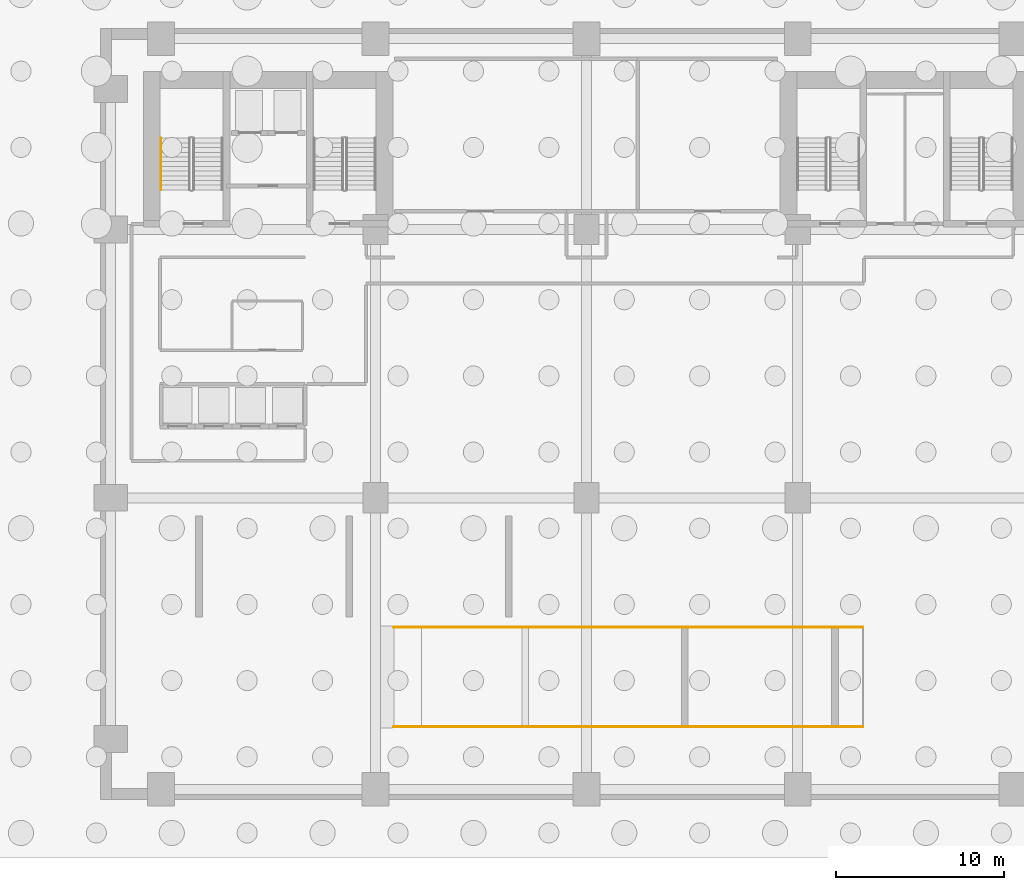
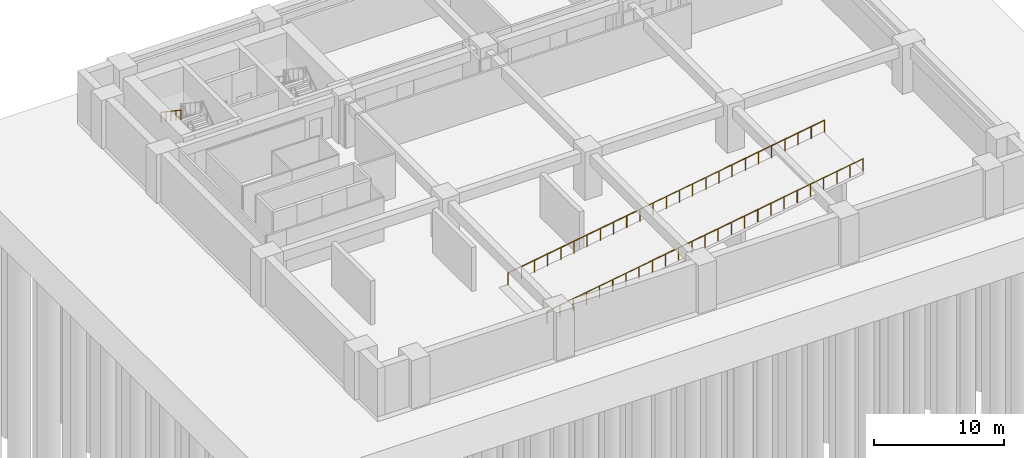
# One storey, part 5 of 8: 3 railings.
"""IFC4 building model written with IfcOpenShell, lengths in metres."""

from ifc_helpers import new_model, si_unit, direction, frame, origin, origin_2d, place, context, subcontext, project, spatial, circle, extrude, material, type_object, element, save


model = new_model("IFC4")

# Units and contexts
model_context = context("Model", 3, precision=1e-05, world=origin(), true_north=direction((0.0, 1.0)))
body_context = subcontext(model_context, "Body", "Model", "MODEL_VIEW")
ifc_project = project(units=[si_unit("LENGTHUNIT", "METRE"), si_unit("AREAUNIT", "SQUARE_METRE"), si_unit("VOLUMEUNIT", "CUBIC_METRE"), si_unit("PLANEANGLEUNIT", "RADIAN"), si_unit("MASSUNIT", "GRAM", prefix="KILO")], contexts=[model_context])

# Site, building, storey
site_placement = place(None, origin())
site = spatial("IfcSite", under=ifc_project, at=site_placement, CompositionType="ELEMENT")
building_placement = place(site_placement, origin())
building = spatial("IfcBuilding", under=site, at=building_placement, Name="Sulina Concourse Tower", CompositionType="ELEMENT")
storey_placement = place(building_placement, frame((0.0, 0.0, -9.0)))
storey = spatial("IfcBuildingStorey", under=building, at=storey_placement, Name="B2", CompositionType="ELEMENT", Elevation=-9.0)

# Railings
ifc_material_1 = material(Name="Galvanised steel railing", Category="steel")
railing_type_1 = type_object("IfcRailingType", Name="Core Stair Steel Guardrail 1150mm", PredefinedType="GUARDRAIL", material=ifc_material_1)
railing_1_placement = place(storey_placement, frame((17.5, 4.330078125, 0.0)))
element("IfcRailing", 1, at=railing_1_placement, inside=storey, type_object=railing_type_1, Name="RMP-VEH-B2 ramp railing 1", PredefinedType="GUARDRAIL", context=body_context, shape_type="SweptSolid", body=[
    extrude(circle(Radius=0.02392578125, at=origin_2d()), frame((0.0, 0.0, 1.1259765625), z_axis=(0.987330371277, 0.0, 0.158678095384), x_axis=(0.0, 1.0, 0.0)), (0.0, 0.0, 1.0), 28.359375),
    extrude(circle(Radius=0.02099609375, at=origin_2d()), origin(), (0.0, 0.0, 1.0), 1.101806640625),
    extrude(circle(Radius=0.02099609375, at=origin_2d()), frame((1.166748046875, 0.0, 0.1875)), (0.0, 0.0, 1.0), 1.101806640625),
    extrude(circle(Radius=0.02099609375, at=origin_2d()), frame((2.333251953125, 0.0, 0.375)), (0.0, 0.0, 1.0), 1.101806640625),
    extrude(circle(Radius=0.02099609375, at=origin_2d()), frame((3.5, 0.0, 0.5625)), (0.0, 0.0, 1.0), 1.101806640625),
    extrude(circle(Radius=0.02099609375, at=origin_2d()), frame((4.666748046875, 0.0, 0.75)), (0.0, 0.0, 1.0), 1.101806640625),
    extrude(circle(Radius=0.02099609375, at=origin_2d()), frame((5.833251953125, 0.0, 0.9375)), (0.0, 0.0, 1.0), 1.101806640625),
    extrude(circle(Radius=0.02099609375, at=origin_2d()), frame((7.0, 0.0, 1.125)), (0.0, 0.0, 1.0), 1.101806640625),
    extrude(circle(Radius=0.02099609375, at=origin_2d()), frame((8.166748046875, 0.0, 1.3125)), (0.0, 0.0, 1.0), 1.101806640625),
    extrude(circle(Radius=0.02099609375, at=origin_2d()), frame((9.333251953125, 0.0, 1.5)), (0.0, 0.0, 1.0), 1.101806640625),
    extrude(circle(Radius=0.02099609375, at=origin_2d()), frame((10.5, 0.0, 1.6875)), (0.0, 0.0, 1.0), 1.101806640625),
    extrude(circle(Radius=0.02099609375, at=origin_2d()), frame((11.666748046875, 0.0, 1.875)), (0.0, 0.0, 1.0), 1.101806640625),
    extrude(circle(Radius=0.02099609375, at=origin_2d()), frame((12.833251953125, 0.0, 2.0625)), (0.0, 0.0, 1.0), 1.101806640625),
    extrude(circle(Radius=0.02099609375, at=origin_2d()), frame((14.0, 0.0, 2.25)), (0.0, 0.0, 1.0), 1.101806640625),
    extrude(circle(Radius=0.02099609375, at=origin_2d()), frame((15.166748046875, 0.0, 2.4375)), (0.0, 0.0, 1.0), 1.101806640625),
    extrude(circle(Radius=0.02099609375, at=origin_2d()), frame((16.333251953125, 0.0, 2.625)), (0.0, 0.0, 1.0), 1.101806640625),
    extrude(circle(Radius=0.02099609375, at=origin_2d()), frame((17.5, 0.0, 2.8125)), (0.0, 0.0, 1.0), 1.101806640625),
    extrude(circle(Radius=0.02099609375, at=origin_2d()), frame((18.666748046875, 0.0, 3.0)), (0.0, 0.0, 1.0), 1.101806640625),
    extrude(circle(Radius=0.02099609375, at=origin_2d()), frame((19.833251953125, 0.0, 3.1875)), (0.0, 0.0, 1.0), 1.101806640625),
    extrude(circle(Radius=0.02099609375, at=origin_2d()), frame((21.0, 0.0, 3.375)), (0.0, 0.0, 1.0), 1.101806640625),
    extrude(circle(Radius=0.02099609375, at=origin_2d()), frame((22.166748046875, 0.0, 3.5625)), (0.0, 0.0, 1.0), 1.101806640625),
    extrude(circle(Radius=0.02099609375, at=origin_2d()), frame((23.333251953125, 0.0, 3.75)), (0.0, 0.0, 1.0), 1.101806640625),
    extrude(circle(Radius=0.02099609375, at=origin_2d()), frame((24.5, 0.0, 3.9375)), (0.0, 0.0, 1.0), 1.101806640625),
    extrude(circle(Radius=0.02099609375, at=origin_2d()), frame((25.666748046875, 0.0, 4.125)), (0.0, 0.0, 1.0), 1.101806640625),
    extrude(circle(Radius=0.02099609375, at=origin_2d()), frame((26.833251953125, 0.0, 4.3125)), (0.0, 0.0, 1.0), 1.101806640625),
    extrude(circle(Radius=0.02099609375, at=origin_2d()), frame((28.0, 0.0, 4.5)), (0.0, 0.0, 1.0), 1.101806640625),
])
railing_2_placement = place(storey_placement, frame((17.5, 10.27001953125, 0.0)))
element("IfcRailing", 2, at=railing_2_placement, inside=storey, type_object=railing_type_1, Name="RMP-VEH-B2 ramp railing 2", PredefinedType="GUARDRAIL", context=body_context, shape_type="SweptSolid", body=[
    extrude(circle(Radius=0.02392578125, at=origin_2d()), frame((0.0, 0.0, 1.1259765625), z_axis=(0.987330371277, 0.0, 0.158678095384), x_axis=(0.0, 1.0, 0.0)), (0.0, 0.0, 1.0), 28.359375),
    extrude(circle(Radius=0.02099609375, at=origin_2d()), origin(), (0.0, 0.0, 1.0), 1.101806640625),
    extrude(circle(Radius=0.02099609375, at=origin_2d()), frame((1.166748046875, 0.0, 0.1875)), (0.0, 0.0, 1.0), 1.101806640625),
    extrude(circle(Radius=0.02099609375, at=origin_2d()), frame((2.333251953125, 0.0, 0.375)), (0.0, 0.0, 1.0), 1.101806640625),
    extrude(circle(Radius=0.02099609375, at=origin_2d()), frame((3.5, 0.0, 0.5625)), (0.0, 0.0, 1.0), 1.101806640625),
    extrude(circle(Radius=0.02099609375, at=origin_2d()), frame((4.666748046875, 0.0, 0.75)), (0.0, 0.0, 1.0), 1.101806640625),
    extrude(circle(Radius=0.02099609375, at=origin_2d()), frame((5.833251953125, 0.0, 0.9375)), (0.0, 0.0, 1.0), 1.101806640625),
    extrude(circle(Radius=0.02099609375, at=origin_2d()), frame((7.0, 0.0, 1.125)), (0.0, 0.0, 1.0), 1.101806640625),
    extrude(circle(Radius=0.02099609375, at=origin_2d()), frame((8.166748046875, 0.0, 1.3125)), (0.0, 0.0, 1.0), 1.101806640625),
    extrude(circle(Radius=0.02099609375, at=origin_2d()), frame((9.333251953125, 0.0, 1.5)), (0.0, 0.0, 1.0), 1.101806640625),
    extrude(circle(Radius=0.02099609375, at=origin_2d()), frame((10.5, 0.0, 1.6875)), (0.0, 0.0, 1.0), 1.101806640625),
    extrude(circle(Radius=0.02099609375, at=origin_2d()), frame((11.666748046875, 0.0, 1.875)), (0.0, 0.0, 1.0), 1.101806640625),
    extrude(circle(Radius=0.02099609375, at=origin_2d()), frame((12.833251953125, 0.0, 2.0625)), (0.0, 0.0, 1.0), 1.101806640625),
    extrude(circle(Radius=0.02099609375, at=origin_2d()), frame((14.0, 0.0, 2.25)), (0.0, 0.0, 1.0), 1.101806640625),
    extrude(circle(Radius=0.02099609375, at=origin_2d()), frame((15.166748046875, 0.0, 2.4375)), (0.0, 0.0, 1.0), 1.101806640625),
    extrude(circle(Radius=0.02099609375, at=origin_2d()), frame((16.333251953125, 0.0, 2.625)), (0.0, 0.0, 1.0), 1.101806640625),
    extrude(circle(Radius=0.02099609375, at=origin_2d()), frame((17.5, 0.0, 2.8125)), (0.0, 0.0, 1.0), 1.101806640625),
    extrude(circle(Radius=0.02099609375, at=origin_2d()), frame((18.666748046875, 0.0, 3.0)), (0.0, 0.0, 1.0), 1.101806640625),
    extrude(circle(Radius=0.02099609375, at=origin_2d()), frame((19.833251953125, 0.0, 3.1875)), (0.0, 0.0, 1.0), 1.101806640625),
    extrude(circle(Radius=0.02099609375, at=origin_2d()), frame((21.0, 0.0, 3.375)), (0.0, 0.0, 1.0), 1.101806640625),
    extrude(circle(Radius=0.02099609375, at=origin_2d()), frame((22.166748046875, 0.0, 3.5625)), (0.0, 0.0, 1.0), 1.101806640625),
    extrude(circle(Radius=0.02099609375, at=origin_2d()), frame((23.333251953125, 0.0, 3.75)), (0.0, 0.0, 1.0), 1.101806640625),
    extrude(circle(Radius=0.02099609375, at=origin_2d()), frame((24.5, 0.0, 3.9375)), (0.0, 0.0, 1.0), 1.101806640625),
    extrude(circle(Radius=0.02099609375, at=origin_2d()), frame((25.666748046875, 0.0, 4.125)), (0.0, 0.0, 1.0), 1.101806640625),
    extrude(circle(Radius=0.02099609375, at=origin_2d()), frame((26.833251953125, 0.0, 4.3125)), (0.0, 0.0, 1.0), 1.101806640625),
    extrude(circle(Radius=0.02099609375, at=origin_2d()), frame((28.0, 0.0, 4.5)), (0.0, 0.0, 1.0), 1.101806640625),
])
ifc_material_2 = material(Name="Galvanised steel railing", Category="steel")
railing_type_2 = type_object("IfcRailingType", Name="Stair Wall Steel Handrail 920mm", PredefinedType="HANDRAIL", material=ifc_material_2)
railing_3_placement = place(storey_placement, frame((3.60498046875, 39.455078125, 2.4375)))
element("IfcRailing", 3, at=railing_3_placement, inside=storey, type_object=railing_type_2, Name="B2 ST-1 stair handrail 2", PredefinedType="HANDRAIL", context=body_context, shape_type="SweptSolid", body=[
    extrude(circle(Radius=0.02392578125, at=origin_2d()), frame((0.0, 0.0, 0.89599609375), z_axis=(0.0, -0.830913701846, 0.55640131208), x_axis=(1.0, 0.0, 0.0)), (0.0, 0.0, 1.0), 3.706787109375),
    extrude(circle(Radius=0.02099609375, at=origin_2d()), origin(), (0.0, 0.0, 1.0), 0.871826171875),
    extrude(circle(Radius=0.02099609375, at=origin_2d()), frame((0.0, -0.77001953125, 0.515625)), (0.0, 0.0, 1.0), 0.871826171875),
    extrude(circle(Radius=0.02099609375, at=origin_2d()), frame((0.0, -1.5400390625, 1.03125)), (0.0, 0.0, 1.0), 0.871826171875),
    extrude(circle(Radius=0.02099609375, at=origin_2d()), frame((0.0, -2.31005859375, 1.546875)), (0.0, 0.0, 1.0), 0.871826171875),
    extrude(circle(Radius=0.02099609375, at=origin_2d()), frame((0.0, -3.080078125, 2.0625)), (0.0, 0.0, 1.0), 0.871826171875),
])

save(model, "model.ifc")
